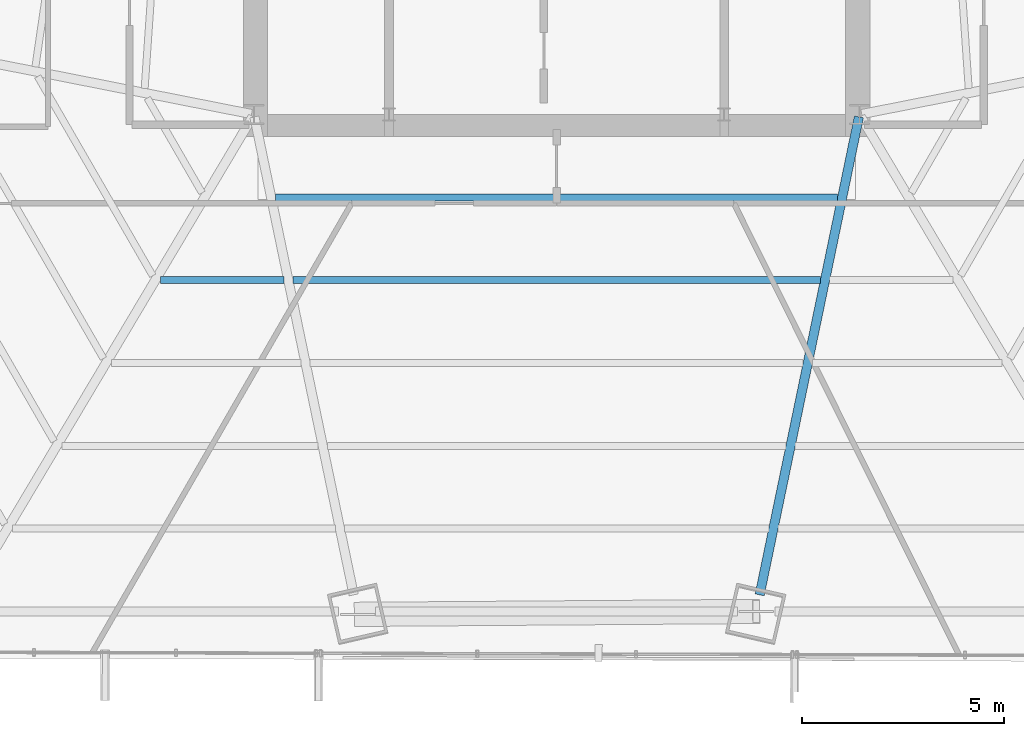
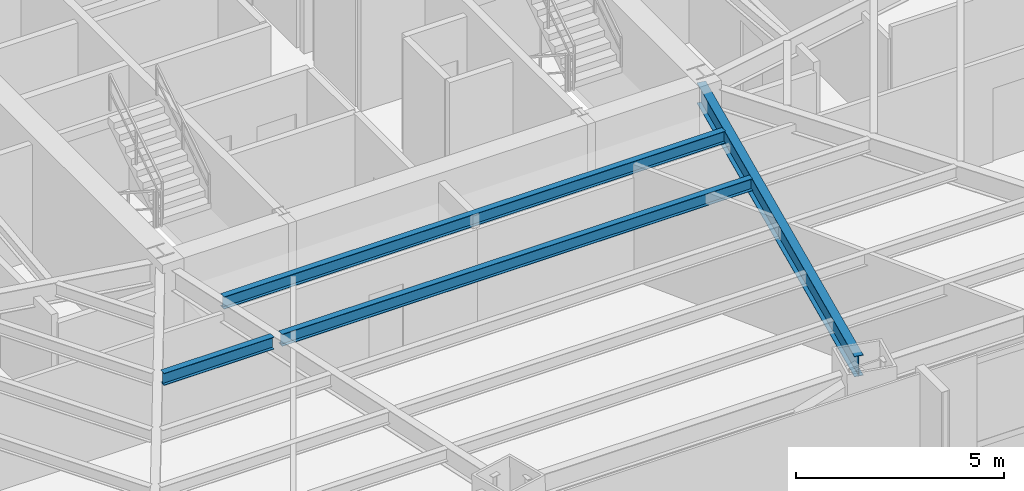
# One storey, part 7 of 33: 4 beams.
"""IFC4 building model written with IfcOpenShell, lengths in metres."""

from ifc_helpers import new_model, si_unit, direction, frame, origin, origin_2d, place, context, subcontext, project, spatial, i_section, extrude, source, transform, mapped, material, material_profile, profile_set, type_object, type_shapes, element, save


model = new_model("IFC4")

# Units and contexts
model_context = context("Model", 3, precision=1e-05, world=origin(), true_north=direction((0.0, 1.0)))
body_context = subcontext(model_context, "Body", "Model", "MODEL_VIEW")
ifc_project = project(units=[si_unit("LENGTHUNIT", "METRE"), si_unit("AREAUNIT", "SQUARE_METRE"), si_unit("VOLUMEUNIT", "CUBIC_METRE"), si_unit("PLANEANGLEUNIT", "RADIAN"), si_unit("MASSUNIT", "GRAM", prefix="KILO")], contexts=[model_context])

# Site, building, storey
site_placement = place(None, origin())
site = spatial("IfcSite", under=ifc_project, at=site_placement, CompositionType="ELEMENT")
building_placement = place(site_placement, origin())
building = spatial("IfcBuilding", under=site, at=building_placement, Name="Caelisora Broadcast Tower", CompositionType="ELEMENT")
storey_placement = place(building_placement, frame((0.0, 0.0, 38.550048828125)))
storey = spatial("IfcBuildingStorey", under=building, at=storey_placement, Name="L09", CompositionType="ELEMENT", Elevation=38.550048828125)

# Beams
ifc_material = material(Name="Steel Grade 350 (AS/NZS 3679.1)", Category="steel")
ifc_material_profile_1 = material_profile(ifc_material, i_section(OverallWidth=0.22802734375, OverallDepth=0.602294921875, WebThickness=0.010498046875, FlangeThickness=0.014892578125, at=origin_2d()), Name="Steel Grade 350 (AS/NZS 3679.1)")
ifc_profile_set_1 = profile_set([ifc_material_profile_1], Name="Steel Grade 350 (AS/NZS 3679.1)")
beam_type_1 = type_object("IfcBeamType", Name="PG04", PredefinedType="BEAM", material=ifc_profile_set_1)
shared_shape_1 = source(origin(), body_context, "Body", "SweptSolid", [
    extrude(i_section(OverallWidth=0.22802734375, OverallDepth=0.602294921875, WebThickness=0.010498046875, FlangeThickness=0.014892578125, at=origin_2d()), origin(), (0.0, 0.0, 1.0), 12.093505859375),
])
type_shapes(beam_type_1, [shared_shape_1])
beam_1_placement = place(storey_placement, frame((45.48779296875, 17.34130859375, 3.098876953125), z_axis=(-0.203370555803, -0.979101842013, 0.0), x_axis=(0.979101842013, -0.203370555803, 0.0)))
element("IfcBeam", 1, at=beam_1_placement, inside=storey, type_object=beam_type_1, Name="L09 beam PG04", PredefinedType="BEAM", context=body_context, shape_type="MappedRepresentation", body=[
    mapped(shared_shape_1, transform((0.0, 0.0, 0.0), scale=1.0)),
])
ifc_material_profile_2 = material_profile(ifc_material, i_section(OverallWidth=0.172119140625, OverallDepth=0.358642578125, WebThickness=0.008056640625, FlangeThickness=0.012939453125, at=origin_2d()), Name="Steel Grade 350 (AS/NZS 3679.1)")
ifc_profile_set_2 = profile_set([ifc_material_profile_2], Name="Steel Grade 350 (AS/NZS 3679.1)")
beam_type_2 = type_object("IfcBeamType", Name="SB02", PredefinedType="JOIST", material=ifc_profile_set_2)
shared_shape_2 = source(origin(), body_context, "Body", "SweptSolid", [
    extrude(i_section(OverallWidth=0.172119140625, OverallDepth=0.358642578125, WebThickness=0.008056640625, FlangeThickness=0.012939453125, at=origin_2d()), origin(), (0.0, 0.0, 1.0), 3.05224609375),
])
beam_2_placement = place(storey_placement, frame((28.186767578125, 13.29638671875, 3.220703125), z_axis=(1.0, 0.0, 0.0), x_axis=(0.0, 1.0, 0.0)))
element("IfcBeam", 2, at=beam_2_placement, inside=storey, type_object=beam_type_2, Name="L09 beam SB02", PredefinedType="JOIST", context=body_context, shape_type="MappedRepresentation", body=[
    mapped(shared_shape_2, transform((0.0, 0.0, 0.0), scale=1.0)),
])
shared_shape_3 = source(origin(), body_context, "Body", "SweptSolid", [
    extrude(i_section(OverallWidth=0.172119140625, OverallDepth=0.358642578125, WebThickness=0.008056640625, FlangeThickness=0.012939453125, at=origin_2d()), origin(), (0.0, 0.0, 1.0), 13.9208984375),
])
beam_3_placement = place(storey_placement, frame((31.03955078125, 15.34814453125, 3.220703125), z_axis=(1.0, 0.0, 0.0), x_axis=(0.0, 1.0, 0.0)))
element("IfcBeam", 3, at=beam_3_placement, inside=storey, type_object=beam_type_2, Name="L09 beam SB02", PredefinedType="JOIST", context=body_context, shape_type="MappedRepresentation", body=[
    mapped(shared_shape_3, transform((0.0, 0.0, 0.0), scale=1.0)),
])
shared_shape_4 = source(origin(), body_context, "Body", "SweptSolid", [
    extrude(i_section(OverallWidth=0.172119140625, OverallDepth=0.358642578125, WebThickness=0.008056640625, FlangeThickness=0.012939453125, at=origin_2d()), origin(), (0.0, 0.0, 1.0), 13.068359375),
])
type_shapes(beam_type_2, [shared_shape_2, shared_shape_3, shared_shape_4])
beam_4_placement = place(storey_placement, frame((31.4658203125, 13.29638671875, 3.220703125), z_axis=(1.0, 0.0, 0.0), x_axis=(0.0, 1.0, 0.0)))
element("IfcBeam", 4, at=beam_4_placement, inside=storey, type_object=beam_type_2, Name="L09 beam SB02", PredefinedType="JOIST", context=body_context, shape_type="MappedRepresentation", body=[
    mapped(shared_shape_4, transform((0.0, 0.0, 0.0), scale=1.0)),
])

save(model, "model.ifc")
